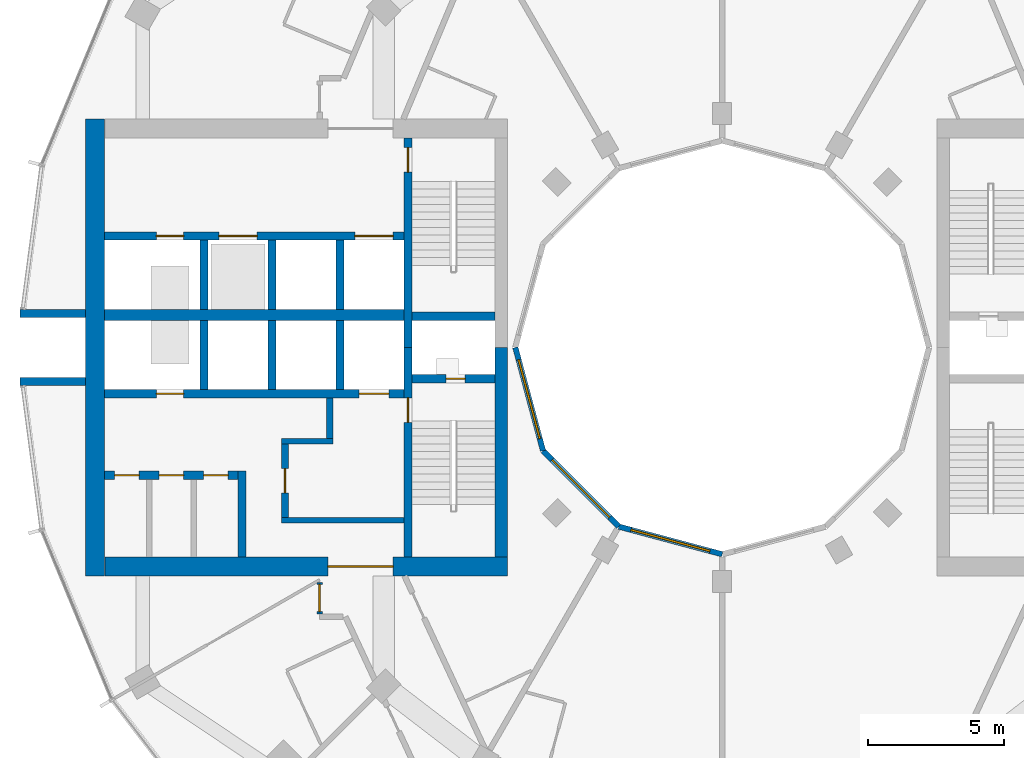
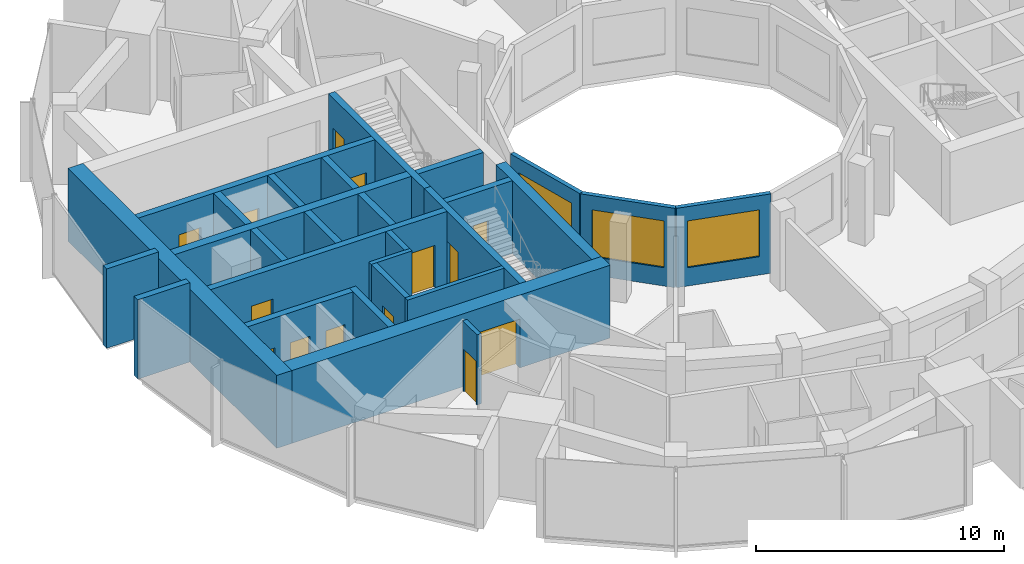
# One storey, part 9 of 15: 28 walls, 14 doors, 3 windows, 17 openings.
"""IFC4 building model written with IfcOpenShell, lengths in metres."""

from ifc_helpers import new_model, si_unit, direction, frame, frame_2d, origin, place, context, subcontext, project, spatial, rectangle, extrude, material, layer, layer_set, type_object, element, fill, save


model = new_model("IFC4")

# Units and contexts
model_context = context("Model", 3, precision=1e-05, world=origin(), true_north=direction((0.0, 1.0)))
body_context = subcontext(model_context, "Body", "Model", "MODEL_VIEW")
ifc_project = project(units=[si_unit("LENGTHUNIT", "METRE"), si_unit("AREAUNIT", "SQUARE_METRE"), si_unit("VOLUMEUNIT", "CUBIC_METRE"), si_unit("PLANEANGLEUNIT", "RADIAN"), si_unit("MASSUNIT", "GRAM", prefix="KILO")], contexts=[model_context])

# Site, building, storey
site_placement = place(None, origin())
site = spatial("IfcSite", under=ifc_project, at=site_placement, CompositionType="ELEMENT")
building_placement = place(site_placement, origin())
building = spatial("IfcBuilding", under=site, at=building_placement, Name="Torre Brocal", CompositionType="ELEMENT")
storey_placement = place(building_placement, frame((0.0, 0.0, 130.199951171875)))
storey = spatial("IfcBuildingStorey", under=building, at=storey_placement, Name="L30", CompositionType="ELEMENT", Elevation=130.199951171875)

# Walls
ifc_material_1 = material(Name="Concrete C70", Category="concrete")
ifc_layer_1 = layer(ifc_material_1, 0.199951171875)
ifc_layer_set_1 = layer_set([ifc_layer_1], Name="Concrete C70")
wall_type_1 = type_object("IfcWallType", Name="CORE WALL 200 C70", PredefinedType="SHEAR", material=ifc_layer_set_1)
wall_1_placement = place(storey_placement, frame((68.300048828125, 68.64990234375, 0.0), z_axis=(0.0, 0.0, 1.0), x_axis=(-1.0, 0.0, 0.0)))
element("IfcWall", 1, at=wall_1_placement, inside=storey, type_object=wall_type_1, Name="Wall CW200-70", PredefinedType="SHEAR", context=body_context, shape_type="SweptSolid", body=[
    extrude(rectangle(XDim=4.5, YDim=0.199951171875, at=frame_2d((2.25, 0.0))), origin(), (0.0, 0.0, 1.0), 3.580078125),
])
wall_2_placement = place(storey_placement, frame((65.699951171875, 71.550048828125, 0.0), z_axis=(0.0, 0.0, 1.0), x_axis=(-1.0, 0.0, 0.0)))
element("IfcWall", 2, at=wall_2_placement, inside=storey, type_object=wall_type_1, Name="Wall CW200-70", PredefinedType="SHEAR", context=body_context, shape_type="SweptSolid", body=[
    extrude(rectangle(XDim=1.89990234375, YDim=0.199951171875, at=frame_2d((0.949951171875, 0.0))), origin(), (0.0, 0.0, 1.0), 3.580078125),
])

# Wall, opening, door
ifc_material_2 = material(Name="Concrete C70", Category="concrete")
ifc_layer_2 = layer(ifc_material_2, 0.25)
ifc_layer_set_2 = layer_set([ifc_layer_2], Name="Concrete C70")
wall_type_2 = type_object("IfcWallType", Name="CORE WALL 250 C70", PredefinedType="SHEAR", material=ifc_layer_set_2)
wall_3_placement = place(storey_placement, frame((63.925048828125, 71.449951171875, 0.0), z_axis=(0.0, 0.0, 1.0), x_axis=(0.0, -1.0, 0.0)))
wall_3 = element("IfcWall", 3, at=wall_3_placement, inside=storey, type_object=wall_type_2, Name="Wall CW250-70", PredefinedType="SHEAR", context=body_context, shape_type="SweptSolid", body=[
    extrude(rectangle(XDim=2.699951171875, YDim=0.25, at=frame_2d((1.35009765625, 0.0))), origin(), (0.0, 0.0, 1.0), 3.580078125),
])
opening_1_placement = place(wall_3_placement, frame((0.89990234375, 0.0, 0.0)))
opening_1 = element("IfcOpeningElement", 4, at=opening_1_placement, cuts=wall_3, Name="Opening W-D15", PredefinedType="OPENING", context=body_context, shape_type="SweptSolid", body=[
    extrude(rectangle(XDim=0.89990234375, YDim=2.10009765625, at=frame_2d((0.449951171875, 1.050048828125))), frame((0.0, 0.135009765625, 0.0), z_axis=(0.0, -1.0, 0.0), x_axis=(1.0, 0.0, 0.0)), (0.0, 0.0, 1.0), 0.27001953125),
])
ifc_material_3 = material(Name="Steel A653", Category="steel")
door_type_1 = type_object("IfcDoorType", Name="LOBBY DOOR FD120 900X2100", OperationType="SINGLE_SWING_RIGHT", PredefinedType="DOOR", material=ifc_material_3)
door_1_placement = place(opening_1_placement, origin())
door_1 = element("IfcDoor", 5, at=door_1_placement, inside=storey, type_object=door_type_1, Name="Door W-D15", OperationType="SINGLE_SWING_LEFT", OverallHeight=2.10009765625, OverallWidth=0.89990234375, PredefinedType="DOOR", context=body_context, shape_type="SweptSolid", body=[
    extrude(rectangle(XDim=0.89990234375, YDim=2.10009765625, at=frame_2d((0.449951171875, 1.050048828125))), frame((0.0, 0.02490234375, 0.0), z_axis=(0.0, -1.0, 0.0), x_axis=(1.0, 0.0, 0.0)), (0.0, 0.0, 1.0), 0.050048828125),
])
fill(opening_1, door_1)

# Wall
wall_4_placement = place(storey_placement, frame((65.574951171875, 73.14990234375, 0.0), z_axis=(0.0, 0.0, 1.0), x_axis=(0.0, -1.0, 0.0)))
element("IfcWall", 6, at=wall_4_placement, inside=storey, type_object=wall_type_2, Name="Wall CW250-70", PredefinedType="SHEAR", context=body_context, shape_type="SweptSolid", body=[
    extrude(rectangle(XDim=1.5, YDim=0.25, at=frame_2d((0.75, 0.0))), origin(), (0.0, 0.0, 1.0), 3.580078125),
])

# Wall, opening, door
ifc_material_4 = material(Name="Concrete C70", Category="concrete")
ifc_layer_3 = layer(ifc_material_4, 0.300048828125)
ifc_layer_set_3 = layer_set([ifc_layer_3], Name="Concrete C70")
wall_type_3 = type_object("IfcWallType", Name="CORE WALL 300 C70", PredefinedType="SHEAR", material=ifc_layer_set_3)
wall_5_placement = place(storey_placement, frame((68.449951171875, 75.0, 0.0), z_axis=(0.0, 0.0, 1.0), x_axis=(0.0, -1.0, 0.0)))
wall_5 = element("IfcWall", 7, at=wall_5_placement, inside=storey, type_object=wall_type_3, Name="Wall CW300-70", PredefinedType="SHEAR", context=body_context, shape_type="SweptSolid", body=[
    extrude(rectangle(XDim=7.699951171875, YDim=0.300048828125, at=frame_2d((3.85009765625, 0.0))), origin(), (0.0, 0.0, 1.0), 3.580078125),
])
opening_2_placement = place(wall_5_placement, frame((1.85009765625, 0.0, 0.0)))
opening_2 = element("IfcOpeningElement", 8, at=opening_2_placement, cuts=wall_5, Name="Opening W-D02", PredefinedType="OPENING", context=body_context, shape_type="SweptSolid", body=[
    extrude(rectangle(XDim=0.89990234375, YDim=2.10009765625, at=frame_2d((0.449951171875, 1.050048828125))), frame((0.0, 0.159912109375, 0.0), z_axis=(0.0, -1.0, 0.0), x_axis=(1.0, 0.0, 0.0)), (0.0, 0.0, 1.0), 0.320068359375),
])
ifc_material_5 = material(Name="Steel A653", Category="steel")
door_type_2 = type_object("IfcDoorType", Name="STAIR DOOR FD120 900X2100", OperationType="SINGLE_SWING_RIGHT", PredefinedType="DOOR", material=ifc_material_5)
door_2_placement = place(opening_2_placement, origin())
door_2 = element("IfcDoor", 9, at=door_2_placement, inside=storey, type_object=door_type_2, Name="Door W-D02", OperationType="SINGLE_SWING_LEFT", OverallHeight=2.10009765625, OverallWidth=0.89990234375, PredefinedType="DOOR", context=body_context, shape_type="SweptSolid", body=[
    extrude(rectangle(XDim=0.89990234375, YDim=2.10009765625, at=frame_2d((0.449951171875, 1.050048828125))), frame((0.0, 0.02490234375, 0.0), z_axis=(0.0, -1.0, 0.0), x_axis=(1.0, 0.0, 0.0)), (0.0, 0.0, 1.0), 0.050048828125),
])
fill(opening_2, door_2)

wall_6_placement = place(storey_placement, frame((68.449951171875, 82.699951171875, 0.0), z_axis=(0.0, 0.0, 1.0), x_axis=(0.0, -1.0, 0.0)))
wall_6 = element("IfcWall", 10, at=wall_6_placement, inside=storey, type_object=wall_type_3, Name="Wall CW300-70", PredefinedType="SHEAR", context=body_context, shape_type="SweptSolid", body=[
    extrude(rectangle(XDim=7.699951171875, YDim=0.300048828125, at=frame_2d((3.85009765625, 0.0))), origin(), (0.0, 0.0, 1.0), 3.580078125),
])
opening_3_placement = place(wall_6_placement, frame((0.35009765625, 0.0, 0.0)))
opening_3 = element("IfcOpeningElement", 11, at=opening_3_placement, cuts=wall_6, Name="Opening W-D03", PredefinedType="OPENING", context=body_context, shape_type="SweptSolid", body=[
    extrude(rectangle(XDim=0.89990234375, YDim=2.10009765625, at=frame_2d((0.449951171875, 1.050048828125))), frame((0.0, 0.159912109375, 0.0), z_axis=(0.0, -1.0, 0.0), x_axis=(1.0, 0.0, 0.0)), (0.0, 0.0, 1.0), 0.320068359375),
])
door_3_placement = place(opening_3_placement, origin())
door_3 = element("IfcDoor", 12, at=door_3_placement, inside=storey, type_object=door_type_2, Name="Door W-D03", OperationType="SINGLE_SWING_LEFT", OverallHeight=2.10009765625, OverallWidth=0.89990234375, PredefinedType="DOOR", context=body_context, shape_type="SweptSolid", body=[
    extrude(rectangle(XDim=0.89990234375, YDim=2.10009765625, at=frame_2d((0.449951171875, 1.050048828125))), frame((0.0, 0.02490234375, 0.0), z_axis=(0.0, -1.0, 0.0), x_axis=(1.0, 0.0, 0.0)), (0.0, 0.0, 1.0), 0.050048828125),
])
fill(opening_3, door_3)

wall_7_placement = place(storey_placement, frame((71.64990234375, 73.85009765625, 0.0), z_axis=(0.0, 0.0, 1.0), x_axis=(-1.0, 0.0, 0.0)))
wall_7 = element("IfcWall", 13, at=wall_7_placement, inside=storey, type_object=wall_type_3, Name="Wall CW300-70", PredefinedType="SHEAR", context=body_context, shape_type="SweptSolid", body=[
    extrude(rectangle(XDim=3.0498046875, YDim=0.300048828125, at=frame_2d((1.52490234375, 0.0))), origin(), (0.0, 0.0, 1.0), 3.580078125),
])
opening_4_placement = place(wall_7_placement, frame((1.10009765625, 0.0, 0.0)))
opening_4 = element("IfcOpeningElement", 14, at=opening_4_placement, cuts=wall_7, Name="Opening W-D01", PredefinedType="OPENING", context=body_context, shape_type="SweptSolid", body=[
    extrude(rectangle(XDim=0.699951171875, YDim=2.0, at=frame_2d((0.35009765625, 1.0))), frame((0.0, 0.159912109375, 0.0), z_axis=(0.0, -1.0, 0.0), x_axis=(1.0, 0.0, 0.0)), (0.0, 0.0, 1.0), 0.320068359375),
])
ifc_material_6 = material(Name="Steel A653", Category="steel")
door_type_3 = type_object("IfcDoorType", Name="RISER DOOR FD120 700X2000", OperationType="SINGLE_SWING_LEFT", PredefinedType="DOOR", material=ifc_material_6)
door_4_placement = place(opening_4_placement, frame((0.699951171875, 0.0, 0.0), z_axis=(0.0, 0.0, 1.0), x_axis=(-1.0, 0.0, 0.0)))
door_4 = element("IfcDoor", 15, at=door_4_placement, inside=storey, type_object=door_type_3, Name="Door W-D01", OperationType="SINGLE_SWING_RIGHT", OverallHeight=2.0, OverallWidth=0.699951171875, PredefinedType="DOOR", context=body_context, shape_type="SweptSolid", body=[
    extrude(rectangle(XDim=0.699951171875, YDim=2.0, at=frame_2d((0.35009765625, 1.0))), frame((0.0, 0.02490234375, 0.0), z_axis=(0.0, -1.0, 0.0), x_axis=(1.0, 0.0, 0.0)), (0.0, 0.0, 1.0), 0.050048828125),
])
fill(opening_4, door_4)

# Wall
wall_8_placement = place(storey_placement, frame((71.64990234375, 76.14990234375, 0.0), z_axis=(0.0, 0.0, 1.0), x_axis=(-1.0, 0.0, 0.0)))
element("IfcWall", 16, at=wall_8_placement, inside=storey, type_object=wall_type_3, Name="Wall CW300-70", PredefinedType="SHEAR", context=body_context, shape_type="SweptSolid", body=[
    extrude(rectangle(XDim=3.0498046875, YDim=0.300048828125, at=frame_2d((1.52490234375, 0.0))), origin(), (0.0, 0.0, 1.0), 3.580078125),
])

# Wall, openings, doors
wall_9_placement = place(storey_placement, frame((68.300048828125, 73.300048828125, 0.0), z_axis=(0.0, 0.0, 1.0), x_axis=(-1.0, 0.0, 0.0)))
wall_9 = element("IfcWall", 17, at=wall_9_placement, inside=storey, type_object=wall_type_3, Name="Wall CW300-70", PredefinedType="SHEAR", context=body_context, shape_type="SweptSolid", body=[
    extrude(rectangle(XDim=11.0, YDim=0.300048828125, at=frame_2d((5.5, 0.0))), origin(), (0.0, 0.0, 1.0), 3.580078125),
])
opening_5_placement = place(wall_9_placement, frame((0.550048828125, 0.0, 0.0)))
opening_5 = element("IfcOpeningElement", 18, at=opening_5_placement, cuts=wall_9, Name="Opening LD", PredefinedType="OPENING", context=body_context, shape_type="SweptSolid", body=[
    extrude(rectangle(XDim=1.10009765625, YDim=2.10009765625, at=frame_2d((0.550048828125, 1.050048828125))), frame((0.0, 0.159912109375, 0.0), z_axis=(0.0, -1.0, 0.0), x_axis=(1.0, 0.0, 0.0)), (0.0, 0.0, 1.0), 0.320068359375),
])
opening_6_placement = place(wall_9_placement, frame((8.10009765625, 0.0, 0.0)))
opening_6 = element("IfcOpeningElement", 19, at=opening_6_placement, cuts=wall_9, Name="Opening LD10", PredefinedType="OPENING", context=body_context, shape_type="SweptSolid", body=[
    extrude(rectangle(XDim=1.0, YDim=2.10009765625, at=frame_2d((0.5, 1.050048828125))), frame((0.0, 0.159912109375, 0.0), z_axis=(0.0, -1.0, 0.0), x_axis=(1.0, 0.0, 0.0)), (0.0, 0.0, 1.0), 0.320068359375),
])
ifc_material_7 = material(Name="Stainless steel AISI 316", Category="steel")
door_type_4 = type_object("IfcDoorType", Name="LIFT LANDING DOOR 1000X2100", OperationType="DOUBLE_DOOR_SLIDING", PredefinedType="DOOR", material=ifc_material_7)
door_5_placement = place(opening_6_placement, origin())
door_5 = element("IfcDoor", 20, at=door_5_placement, inside=storey, type_object=door_type_4, Name="Door LD10", OperationType="DOUBLE_DOOR_SLIDING", OverallHeight=2.10009765625, OverallWidth=1.0, PredefinedType="DOOR", context=body_context, shape_type="SweptSolid", body=[
    extrude(rectangle(XDim=1.0, YDim=2.10009765625, at=frame_2d((0.5, 1.050048828125))), frame((0.0, 0.02490234375, 0.0), z_axis=(0.0, -1.0, 0.0), x_axis=(1.0, 0.0, 0.0)), (0.0, 0.0, 1.0), 0.050048828125),
])
fill(opening_6, door_5)
ifc_material_8 = material(Name="Stainless steel AISI 316", Category="steel")
door_type_5 = type_object("IfcDoorType", Name="LIFT LANDING DOOR 1100X2100", OperationType="DOUBLE_DOOR_SLIDING", PredefinedType="DOOR", material=ifc_material_8)
door_6_placement = place(opening_5_placement, origin())
door_6 = element("IfcDoor", 21, at=door_6_placement, inside=storey, type_object=door_type_5, Name="Door LD", OperationType="DOUBLE_DOOR_SLIDING", OverallHeight=2.10009765625, OverallWidth=1.10009765625, PredefinedType="DOOR", context=body_context, shape_type="SweptSolid", body=[
    extrude(rectangle(XDim=1.10009765625, YDim=2.10009765625, at=frame_2d((0.550048828125, 1.050048828125))), frame((0.0, 0.02490234375, 0.0), z_axis=(0.0, -1.0, 0.0), x_axis=(1.0, 0.0, 0.0)), (0.0, 0.0, 1.0), 0.050048828125),
])
fill(opening_5, door_6)

wall_10_placement = place(storey_placement, frame((68.300048828125, 79.10009765625, 0.0), z_axis=(0.0, 0.0, 1.0), x_axis=(-1.0, 0.0, 0.0)))
wall_10 = element("IfcWall", 22, at=wall_10_placement, inside=storey, type_object=wall_type_3, Name="Wall CW300-70", PredefinedType="SHEAR", context=body_context, shape_type="SweptSolid", body=[
    extrude(rectangle(XDim=11.0, YDim=0.300048828125, at=frame_2d((5.5, 0.0))), origin(), (0.0, 0.0, 1.0), 3.580078125),
])
opening_7_placement = place(wall_10_placement, frame((0.39990234375, 0.0, 0.0)))
opening_7 = element("IfcOpeningElement", 23, at=opening_7_placement, cuts=wall_10, Name="Opening LD14", PredefinedType="OPENING", context=body_context, shape_type="SweptSolid", body=[
    extrude(rectangle(XDim=1.39990234375, YDim=2.10009765625, at=frame_2d((0.699951171875, 1.050048828125))), frame((0.0, 0.159912109375, 0.0), z_axis=(0.0, -1.0, 0.0), x_axis=(1.0, 0.0, 0.0)), (0.0, 0.0, 1.0), 0.320068359375),
])
opening_8_placement = place(wall_10_placement, frame((5.39990234375, 0.0, 0.0)))
opening_8 = element("IfcOpeningElement", 24, at=opening_8_placement, cuts=wall_10, Name="Opening LD14", PredefinedType="OPENING", context=body_context, shape_type="SweptSolid", body=[
    extrude(rectangle(XDim=1.39990234375, YDim=2.10009765625, at=frame_2d((0.699951171875, 1.050048828125))), frame((0.0, 0.159912109375, 0.0), z_axis=(0.0, -1.0, 0.0), x_axis=(1.0, 0.0, 0.0)), (0.0, 0.0, 1.0), 0.320068359375),
])
opening_9_placement = place(wall_10_placement, frame((8.10009765625, 0.0, 0.0)))
opening_9 = element("IfcOpeningElement", 25, at=opening_9_placement, cuts=wall_10, Name="Opening LD10", PredefinedType="OPENING", context=body_context, shape_type="SweptSolid", body=[
    extrude(rectangle(XDim=1.0, YDim=2.10009765625, at=frame_2d((0.5, 1.050048828125))), frame((0.0, 0.159912109375, 0.0), z_axis=(0.0, -1.0, 0.0), x_axis=(1.0, 0.0, 0.0)), (0.0, 0.0, 1.0), 0.320068359375),
])
door_7_placement = place(opening_9_placement, origin())
door_7 = element("IfcDoor", 26, at=door_7_placement, inside=storey, type_object=door_type_4, Name="Door LD10", OperationType="DOUBLE_DOOR_SLIDING", OverallHeight=2.10009765625, OverallWidth=1.0, PredefinedType="DOOR", context=body_context, shape_type="SweptSolid", body=[
    extrude(rectangle(XDim=1.0, YDim=2.10009765625, at=frame_2d((0.5, 1.050048828125))), frame((0.0, 0.02490234375, 0.0), z_axis=(0.0, -1.0, 0.0), x_axis=(1.0, 0.0, 0.0)), (0.0, 0.0, 1.0), 0.050048828125),
])
fill(opening_9, door_7)
ifc_material_9 = material(Name="Stainless steel AISI 316", Category="steel")
door_type_6 = type_object("IfcDoorType", Name="LIFT LANDING DOOR 1400X2100", OperationType="DOUBLE_DOOR_SLIDING", PredefinedType="DOOR", material=ifc_material_9)
door_8_placement = place(opening_7_placement, origin())
door_8 = element("IfcDoor", 27, at=door_8_placement, inside=storey, type_object=door_type_6, Name="Door LD14", OperationType="DOUBLE_DOOR_SLIDING", OverallHeight=2.10009765625, OverallWidth=1.39990234375, PredefinedType="DOOR", context=body_context, shape_type="SweptSolid", body=[
    extrude(rectangle(XDim=1.39990234375, YDim=2.10009765625, at=frame_2d((0.699951171875, 1.050048828125))), frame((0.0, 0.02490234375, 0.0), z_axis=(0.0, -1.0, 0.0), x_axis=(1.0, 0.0, 0.0)), (0.0, 0.0, 1.0), 0.050048828125),
])
fill(opening_7, door_8)
door_9_placement = place(opening_8_placement, origin())
door_9 = element("IfcDoor", 28, at=door_9_placement, inside=storey, type_object=door_type_6, Name="Door LD14", OperationType="DOUBLE_DOOR_SLIDING", OverallHeight=2.10009765625, OverallWidth=1.39990234375, PredefinedType="DOOR", context=body_context, shape_type="SweptSolid", body=[
    extrude(rectangle(XDim=1.39990234375, YDim=2.10009765625, at=frame_2d((0.699951171875, 1.050048828125))), frame((0.0, 0.02490234375, 0.0), z_axis=(0.0, -1.0, 0.0), x_axis=(1.0, 0.0, 0.0)), (0.0, 0.0, 1.0), 0.050048828125),
])
fill(opening_8, door_9)

# Walls
for number, where, z_axis, x_axis, name in (
    (29, (65.949951171875, 76.0, 0.0), (0.0, 0.0, 1.0), (0.0, -1.0, 0.0), "Wall CW300-70"),
    (30, (63.449951171875, 76.0, 0.0), (0.0, 0.0, 1.0), (0.0, -1.0, 0.0), "Wall CW300-70"),
    (31, (60.949951171875, 76.0, 0.0), (0.0, 0.0, 1.0), (0.0, -1.0, 0.0), "Wall CW300-70"),
    (32, (65.949951171875, 78.949951171875, 0.0), (0.0, 0.0, 1.0), (0.0, -1.0, 0.0), "Wall CW300-70"),
    (33, (63.449951171875, 78.949951171875, 0.0), (0.0, 0.0, 1.0), (0.0, -1.0, 0.0), "Wall CW300-70"),
    (34, (60.949951171875, 78.949951171875, 0.0), (0.0, 0.0, 1.0), (0.0, -1.0, 0.0), "Wall CW300-70"),
):
    element("IfcWall", number, at=place(storey_placement, frame(where, z_axis=z_axis, x_axis=x_axis)), inside=storey, type_object=wall_type_3, Name=name, PredefinedType="SHEAR", context=body_context, shape_type="SweptSolid", body=[
        extrude(rectangle(XDim=2.550048828125, YDim=0.300048828125, at=frame_2d((1.27490234375, 0.0))), origin(), (0.0, 0.0, 1.0), 3.580078125),
    ])
wall_11_placement = place(storey_placement, frame((62.35009765625, 70.449951171875, 0.0), z_axis=(0.0, 0.0, 1.0), x_axis=(0.0, -1.0, 0.0)))
element("IfcWall", 35, at=wall_11_placement, inside=storey, type_object=wall_type_3, Name="Wall CW300-70", PredefinedType="SHEAR", context=body_context, shape_type="SweptSolid", body=[
    extrude(rectangle(XDim=3.14990234375, YDim=0.300048828125, at=frame_2d((1.574951171875, 0.0))), origin(), (0.0, 0.0, 1.0), 3.580078125),
])

# Wall, openings, doors
wall_12_placement = place(storey_placement, frame((62.199951171875, 70.300048828125, 0.0), z_axis=(0.0, 0.0, 1.0), x_axis=(-1.0, 0.0, 0.0)))
wall_12 = element("IfcWall", 36, at=wall_12_placement, inside=storey, type_object=wall_type_3, Name="Wall CW300-70", PredefinedType="SHEAR", context=body_context, shape_type="SweptSolid", body=[
    extrude(rectangle(XDim=4.89990234375, YDim=0.300048828125, at=frame_2d((2.449951171875, 0.0))), origin(), (0.0, 0.0, 1.0), 3.580078125),
])
opening_10_placement = place(wall_12_placement, frame((0.36669921875, 0.0, 0.0)))
opening_10 = element("IfcOpeningElement", 37, at=opening_10_placement, cuts=wall_12, Name="Opening W-D05", PredefinedType="OPENING", context=body_context, shape_type="SweptSolid", body=[
    extrude(rectangle(XDim=0.89990234375, YDim=2.10009765625, at=frame_2d((0.449951171875, 1.050048828125))), frame((0.0, 0.159912109375, 0.0), z_axis=(0.0, -1.0, 0.0), x_axis=(1.0, 0.0, 0.0)), (0.0, 0.0, 1.0), 0.320068359375),
])
opening_11_placement = place(wall_12_placement, frame((2.0, 0.0, 0.0)))
opening_11 = element("IfcOpeningElement", 38, at=opening_11_placement, cuts=wall_12, Name="Opening W-D06", PredefinedType="OPENING", context=body_context, shape_type="SweptSolid", body=[
    extrude(rectangle(XDim=0.89990234375, YDim=2.10009765625, at=frame_2d((0.449951171875, 1.050048828125))), frame((0.0, 0.159912109375, 0.0), z_axis=(0.0, -1.0, 0.0), x_axis=(1.0, 0.0, 0.0)), (0.0, 0.0, 1.0), 0.320068359375),
])
opening_12_placement = place(wall_12_placement, frame((3.63330078125, 0.0, 0.0)))
opening_12 = element("IfcOpeningElement", 39, at=opening_12_placement, cuts=wall_12, Name="Opening W-D07", PredefinedType="OPENING", context=body_context, shape_type="SweptSolid", body=[
    extrude(rectangle(XDim=0.89990234375, YDim=2.10009765625, at=frame_2d((0.449951171875, 1.050048828125))), frame((0.0, 0.159912109375, 0.0), z_axis=(0.0, -1.0, 0.0), x_axis=(1.0, 0.0, 0.0)), (0.0, 0.0, 1.0), 0.320068359375),
])
ifc_material_10 = material(Name="Steel A653", Category="steel")
door_type_7 = type_object("IfcDoorType", Name="ROOM DOOR FD30S 900X2100", OperationType="SINGLE_SWING_LEFT", PredefinedType="DOOR", material=ifc_material_10)
door_10_placement = place(opening_10_placement, origin())
door_10 = element("IfcDoor", 40, at=door_10_placement, inside=storey, type_object=door_type_7, Name="Door W-D05", OperationType="SINGLE_SWING_RIGHT", OverallHeight=2.10009765625, OverallWidth=0.89990234375, PredefinedType="DOOR", context=body_context, shape_type="SweptSolid", body=[
    extrude(rectangle(XDim=0.89990234375, YDim=2.10009765625, at=frame_2d((0.449951171875, 1.050048828125))), frame((0.0, 0.02490234375, 0.0), z_axis=(0.0, -1.0, 0.0), x_axis=(1.0, 0.0, 0.0)), (0.0, 0.0, 1.0), 0.050048828125),
])
fill(opening_10, door_10)
door_11_placement = place(opening_11_placement, origin())
door_11 = element("IfcDoor", 41, at=door_11_placement, inside=storey, type_object=door_type_7, Name="Door W-D06", OperationType="SINGLE_SWING_LEFT", OverallHeight=2.10009765625, OverallWidth=0.89990234375, PredefinedType="DOOR", context=body_context, shape_type="SweptSolid", body=[
    extrude(rectangle(XDim=0.89990234375, YDim=2.10009765625, at=frame_2d((0.449951171875, 1.050048828125))), frame((0.0, 0.02490234375, 0.0), z_axis=(0.0, -1.0, 0.0), x_axis=(1.0, 0.0, 0.0)), (0.0, 0.0, 1.0), 0.050048828125),
])
fill(opening_11, door_11)
door_12_placement = place(opening_12_placement, origin())
door_12 = element("IfcDoor", 42, at=door_12_placement, inside=storey, type_object=door_type_7, Name="Door W-D07", OperationType="SINGLE_SWING_LEFT", OverallHeight=2.10009765625, OverallWidth=0.89990234375, PredefinedType="DOOR", context=body_context, shape_type="SweptSolid", body=[
    extrude(rectangle(XDim=0.89990234375, YDim=2.10009765625, at=frame_2d((0.449951171875, 1.050048828125))), frame((0.0, 0.02490234375, 0.0), z_axis=(0.0, -1.0, 0.0), x_axis=(1.0, 0.0, 0.0)), (0.0, 0.0, 1.0), 0.050048828125),
])
fill(opening_12, door_12)

# Walls
ifc_material_11 = material(Name="Concrete C70", Category="concrete")
ifc_layer_4 = layer(ifc_material_11, 0.39990234375)
ifc_layer_set_4 = layer_set([ifc_layer_4], Name="Concrete C70")
wall_type_4 = type_object("IfcWallType", Name="CORE WALL 400 C70", PredefinedType="SHEAR", material=ifc_layer_set_4)
wall_13_placement = place(storey_placement, frame((68.300048828125, 76.199951171875, 0.0), z_axis=(0.0, 0.0, 1.0), x_axis=(-1.0, 0.0, 0.0)))
element("IfcWall", 43, at=wall_13_placement, inside=storey, type_object=wall_type_4, Name="Wall CW400-70", PredefinedType="SHEAR", context=body_context, shape_type="SweptSolid", body=[
    extrude(rectangle(XDim=11.0, YDim=0.39990234375, at=frame_2d((5.5, 0.0))), origin(), (0.0, 0.0, 1.0), 3.580078125),
])
ifc_material_12 = material(Name="Concrete C70", Category="concrete")
ifc_layer_5 = layer(ifc_material_12, 0.449951171875)
ifc_layer_set_5 = layer_set([ifc_layer_5], Name="Concrete C70")
wall_type_5 = type_object("IfcWallType", Name="CORE WALL 450 C70", PredefinedType="SHEAR", material=ifc_layer_set_5)
wall_14_placement = place(storey_placement, frame((71.875, 75.0, 0.0), z_axis=(0.0, 0.0, 1.0), x_axis=(0.0, -1.0, 0.0)))
element("IfcWall", 44, at=wall_14_placement, inside=storey, type_object=wall_type_5, Name="Wall CW450-70", PredefinedType="SHEAR", context=body_context, shape_type="SweptSolid", body=[
    extrude(rectangle(XDim=7.699951171875, YDim=0.449951171875, at=frame_2d((3.85009765625, 0.0))), origin(), (0.0, 0.0, 1.0), 3.580078125),
])

# Wall, opening, door
ifc_material_13 = material(Name="Concrete C70", Category="concrete")
ifc_layer_6 = layer(ifc_material_13, 0.699951171875)
ifc_layer_set_6 = layer_set([ifc_layer_6], Name="Concrete C70")
wall_type_6 = type_object("IfcWallType", Name="CORE WALL 700 C70", PredefinedType="SHEAR", material=ifc_layer_set_6)
wall_15_placement = place(storey_placement, frame((72.10009765625, 66.949951171875, 0.0), z_axis=(0.0, 0.0, 1.0), x_axis=(-1.0, 0.0, 0.0)))
wall_15 = element("IfcWall", 45, at=wall_15_placement, inside=storey, type_object=wall_type_6, Name="Wall CW700-70", PredefinedType="SHEAR", context=body_context, shape_type="SweptSolid", body=[
    extrude(rectangle(XDim=14.800048828125, YDim=0.699951171875, at=frame_2d((7.39990234375, 0.0))), origin(), (0.0, 0.0, 1.0), 3.580078125),
])
opening_13_placement = place(wall_15_placement, frame((4.199951171875, 0.0, 0.0)))
opening_13 = element("IfcOpeningElement", 46, at=opening_13_placement, cuts=wall_15, Name="Opening W-D27", PredefinedType="OPENING", context=body_context, shape_type="SweptSolid", body=[
    extrude(rectangle(XDim=2.39990234375, YDim=2.39990234375, at=frame_2d((1.199951171875, 1.199951171875))), frame((0.0, 0.35986328125, 0.0), z_axis=(0.0, -1.0, 0.0), x_axis=(1.0, 0.0, 0.0)), (0.0, 0.0, 1.0), 0.719970703125),
])
ifc_material_14 = material(Name="Steel A653", Category="steel")
door_type_8 = type_object("IfcDoorType", Name="DOUBLE FIRE DOOR FD90 2400X2400", OperationType="DOUBLE_DOOR_SINGLE_SWING", PredefinedType="DOOR", material=ifc_material_14)
door_13_placement = place(opening_13_placement, frame((2.39990234375, 0.0, 0.0), z_axis=(0.0, 0.0, 1.0), x_axis=(-1.0, 0.0, 0.0)))
door_13 = element("IfcDoor", 47, at=door_13_placement, inside=storey, type_object=door_type_8, Name="Door W-D27", OperationType="DOUBLE_DOOR_SINGLE_SWING", OverallHeight=2.39990234375, OverallWidth=2.39990234375, PredefinedType="DOOR", context=body_context, shape_type="SweptSolid", body=[
    extrude(rectangle(XDim=2.39990234375, YDim=2.39990234375, at=frame_2d((1.199951171875, 1.199951171875))), frame((0.0, 0.02490234375, 0.0), z_axis=(0.0, -1.0, 0.0), x_axis=(1.0, 0.0, 0.0)), (0.0, 0.0, 1.0), 0.050048828125),
])
fill(opening_13, door_13)

# Walls
wall_16_placement = place(storey_placement, frame((56.949951171875, 83.39990234375, 0.0), z_axis=(0.0, 0.0, 1.0), x_axis=(0.0, -1.0, 0.0)))
element("IfcWall", 48, at=wall_16_placement, inside=storey, type_object=wall_type_6, Name="Wall CW700-70", PredefinedType="SHEAR", context=body_context, shape_type="SweptSolid", body=[
    extrude(rectangle(XDim=16.7998046875, YDim=0.699951171875, at=frame_2d((8.39990234375, 0.0))), origin(), (0.0, 0.0, 1.0), 3.580078125),
])
ifc_material_15 = material(Name="Concrete C70", Category="concrete")
ifc_layer_7 = layer(ifc_material_15, 0.300048828125)
ifc_layer_set_7 = layer_set([ifc_layer_7], Name="Concrete C70")
wall_type_7 = type_object("IfcWallType", Name="NOTCH RETURN WALL 300 C70", PredefinedType="NOTDEFINED", material=ifc_layer_set_7)
for number, where, z_axis, x_axis, name in (
    (49, (56.60009765625, 76.25, 0.0), (0.0, 0.0, 1.0), (-1.0, 0.0, 0.0), "NOTCH RETURN WALL"),
    (50, (56.60009765625, 73.75, 0.0), (0.0, 0.0, 1.0), (-1.0, 0.0, 0.0), "NOTCH RETURN WALL"),
):
    element("IfcWall", number, at=place(storey_placement, frame(where, z_axis=z_axis, x_axis=x_axis)), inside=storey, type_object=wall_type_7, Name=name, PredefinedType="NOTDEFINED", context=body_context, shape_type="SweptSolid", body=[
        extrude(rectangle(XDim=2.415771484375, YDim=0.300048828125, at=frame_2d((1.2080078125, 0.0))), origin(), (0.0, 0.0, 1.0), 3.900146484375),
    ])

# Wall, opening, door
ifc_material_16 = material(Name="Gypsum board", Category="Gypsum")
ifc_layer_8 = layer(ifc_material_16, 0.199951171875)
ifc_layer_set_8 = layer_set([ifc_layer_8], Name="Gypsum board")
wall_type_8 = type_object("IfcWallType", Name="PARTITION 200 EI60", PredefinedType="PARTITIONING", material=ifc_layer_set_8)
wall_17_placement = place(storey_placement, frame((65.199951171875, 65.199951171875, 0.0), z_axis=(0.0, 0.0, 1.0), x_axis=(0.0, 1.0, 0.0)))
wall_17 = element("IfcWall", 51, at=wall_17_placement, inside=storey, type_object=wall_type_8, Name="GUESTROOM CORRIDOR WALL", PredefinedType="PARTITIONING", context=body_context, shape_type="SweptSolid", body=[
    extrude(rectangle(XDim=1.150146484375, YDim=0.199951171875, at=frame_2d((0.5751953125, 0.0))), origin(), (0.0, 0.0, 1.0), 3.449951171875),
])
opening_14_placement = place(wall_17_placement, frame((0.08740234375, 0.0, 0.0)))
opening_14 = element("IfcOpeningElement", 52, at=opening_14_placement, cuts=wall_17, Name="Opening E02-D38", PredefinedType="OPENING", context=body_context, shape_type="SweptSolid", body=[
    extrude(rectangle(XDim=1.0, YDim=2.10009765625, at=frame_2d((0.5, 1.050048828125))), frame((0.0, 0.10986328125, 0.0), z_axis=(0.0, -1.0, 0.0), x_axis=(1.0, 0.0, 0.0)), (0.0, 0.0, 1.0), 0.219970703125),
])
ifc_material_17 = material(Name="Timber", Category="wood")
door_type_9 = type_object("IfcDoorType", Name="FLAT ENTRY DOOR FD30S 1000X2100", OperationType="SINGLE_SWING_RIGHT", PredefinedType="DOOR", material=ifc_material_17)
door_14_placement = place(opening_14_placement, origin())
door_14 = element("IfcDoor", 53, at=door_14_placement, inside=storey, type_object=door_type_9, Name="E02-D38", OperationType="SINGLE_SWING_LEFT", OverallHeight=2.10009765625, OverallWidth=1.0, PredefinedType="DOOR", context=body_context, shape_type="SweptSolid", body=[
    extrude(rectangle(XDim=1.0, YDim=2.10009765625, at=frame_2d((0.5, 1.050048828125))), frame((0.0, 0.02490234375, 0.0), z_axis=(0.0, -1.0, 0.0), x_axis=(1.0, 0.0, 0.0)), (0.0, 0.0, 1.0), 0.050048828125),
])
fill(opening_14, door_14)

# Wall, opening, window
ifc_material_18 = material(Name="Concrete C40", Category="concrete")
ifc_layer_9 = layer(ifc_material_18, 0.199951171875)
ifc_layer_set_9 = layer_set([ifc_layer_9], Name="Concrete C40")
wall_type_9 = type_object("IfcWallType", Name="WELL FACADE WALL 200", PredefinedType="NOTDEFINED", material=ifc_layer_set_9)
wall_18_placement = place(storey_placement, frame((72.396484375, 75.0, 0.0), z_axis=(0.0, 0.0, 1.0), x_axis=(0.258789828301, -0.965933654434, 0.0)))
wall_18 = element("IfcWall", 54, at=wall_18_placement, inside=storey, type_object=wall_type_9, Name="WELL FACADE WALL", PredefinedType="NOTDEFINED", context=body_context, shape_type="SweptSolid", body=[
    extrude(rectangle(XDim=3.935791015625, YDim=0.199951171875, at=frame_2d((1.9677734375, 0.0))), origin(), (0.0, 0.0, 1.0), 3.900146484375),
])
opening_15_placement = place(wall_18_placement, frame((0.468017578125, 0.0, 0.89990234375)))
opening_15 = element("IfcOpeningElement", 55, at=opening_15_placement, cuts=wall_18, Name="Opening W1", PredefinedType="OPENING", context=body_context, shape_type="SweptSolid", body=[
    extrude(rectangle(XDim=3.0, YDim=2.300048828125, at=frame_2d((1.5, 1.14990234375))), frame((0.0, 0.10986328125, 0.0), z_axis=(0.0, -1.0, 0.0), x_axis=(1.0, 0.0, 0.0)), (0.0, 0.0, 1.0), 0.219970703125),
])
ifc_material_19 = material(Name="Aluminium and glass", Category="aluminium")
window_type = type_object("IfcWindowType", Name="WELL WINDOW 3000X2300", PartitioningType="SINGLE_PANEL", PredefinedType="WINDOW", material=ifc_material_19)
window_1_placement = place(opening_15_placement, origin())
window_1 = element("IfcWindow", 56, at=window_1_placement, inside=storey, type_object=window_type, Name="WELL WINDOW 3000X2300", OverallHeight=2.300048828125, OverallWidth=3.0, PartitioningType="SINGLE_PANEL", PredefinedType="WINDOW", context=body_context, shape_type="SweptSolid", body=[
    extrude(rectangle(XDim=3.0, YDim=2.300048828125, at=frame_2d((1.5, 1.14990234375))), frame((0.0, 0.030029296875, 0.0), z_axis=(0.0, -1.0, 0.0), x_axis=(1.0, 0.0, 0.0)), (0.0, 0.0, 1.0), 0.06005859375),
])
fill(opening_15, window_1)

wall_19_placement = place(storey_placement, frame((73.4150390625, 71.1982421875, 0.0), z_axis=(0.0, 0.0, 1.0), x_axis=(0.707106781187, -0.707106781187, 0.0)))
wall_19 = element("IfcWall", 57, at=wall_19_placement, inside=storey, type_object=wall_type_9, Name="WELL FACADE WALL", PredefinedType="NOTDEFINED", context=body_context, shape_type="SweptSolid", body=[
    extrude(rectangle(XDim=3.93603515625, YDim=0.199951171875, at=frame_2d((1.968017578125, 0.0))), origin(), (0.0, 0.0, 1.0), 3.900146484375),
])
opening_16_placement = place(wall_19_placement, frame((0.468017578125, 0.0, 0.89990234375)))
opening_16 = element("IfcOpeningElement", 58, at=opening_16_placement, cuts=wall_19, Name="Opening W1", PredefinedType="OPENING", context=body_context, shape_type="SweptSolid", body=[
    extrude(rectangle(XDim=3.0, YDim=2.300048828125, at=frame_2d((1.5, 1.14990234375))), frame((0.0, 0.10986328125, 0.0), z_axis=(0.0, -1.0, 0.0), x_axis=(1.0, 0.0, 0.0)), (0.0, 0.0, 1.0), 0.219970703125),
])
window_2_placement = place(opening_16_placement, origin())
window_2 = element("IfcWindow", 59, at=window_2_placement, inside=storey, type_object=window_type, Name="WELL WINDOW 3000X2300", OverallHeight=2.300048828125, OverallWidth=3.0, PartitioningType="SINGLE_PANEL", PredefinedType="WINDOW", context=body_context, shape_type="SweptSolid", body=[
    extrude(rectangle(XDim=3.0, YDim=2.300048828125, at=frame_2d((1.5, 1.14990234375))), frame((0.0, 0.030029296875, 0.0), z_axis=(0.0, -1.0, 0.0), x_axis=(1.0, 0.0, 0.0)), (0.0, 0.0, 1.0), 0.06005859375),
])
fill(opening_16, window_2)

wall_20_placement = place(storey_placement, frame((76.1982421875, 68.4150390625, 0.0), z_axis=(0.0, 0.0, 1.0), x_axis=(0.965933654434, -0.258789828301, 0.0)))
wall_20 = element("IfcWall", 60, at=wall_20_placement, inside=storey, type_object=wall_type_9, Name="WELL FACADE WALL", PredefinedType="NOTDEFINED", context=body_context, shape_type="SweptSolid", body=[
    extrude(rectangle(XDim=3.935791015625, YDim=0.199951171875, at=frame_2d((1.9677734375, 0.0))), origin(), (0.0, 0.0, 1.0), 3.900146484375),
])
opening_17_placement = place(wall_20_placement, frame((0.468017578125, 0.0, 0.89990234375)))
opening_17 = element("IfcOpeningElement", 61, at=opening_17_placement, cuts=wall_20, Name="Opening W1", PredefinedType="OPENING", context=body_context, shape_type="SweptSolid", body=[
    extrude(rectangle(XDim=3.0, YDim=2.300048828125, at=frame_2d((1.5, 1.14990234375))), frame((0.0, 0.10986328125, 0.0), z_axis=(0.0, -1.0, 0.0), x_axis=(1.0, 0.0, 0.0)), (0.0, 0.0, 1.0), 0.219970703125),
])
window_3_placement = place(opening_17_placement, origin())
window_3 = element("IfcWindow", 62, at=window_3_placement, inside=storey, type_object=window_type, Name="WELL WINDOW 3000X2300", OverallHeight=2.300048828125, OverallWidth=3.0, PartitioningType="SINGLE_PANEL", PredefinedType="WINDOW", context=body_context, shape_type="SweptSolid", body=[
    extrude(rectangle(XDim=3.0, YDim=2.300048828125, at=frame_2d((1.5, 1.14990234375))), frame((0.0, 0.030029296875, 0.0), z_axis=(0.0, -1.0, 0.0), x_axis=(1.0, 0.0, 0.0)), (0.0, 0.0, 1.0), 0.06005859375),
])
fill(opening_17, window_3)

save(model, "model.ifc")
